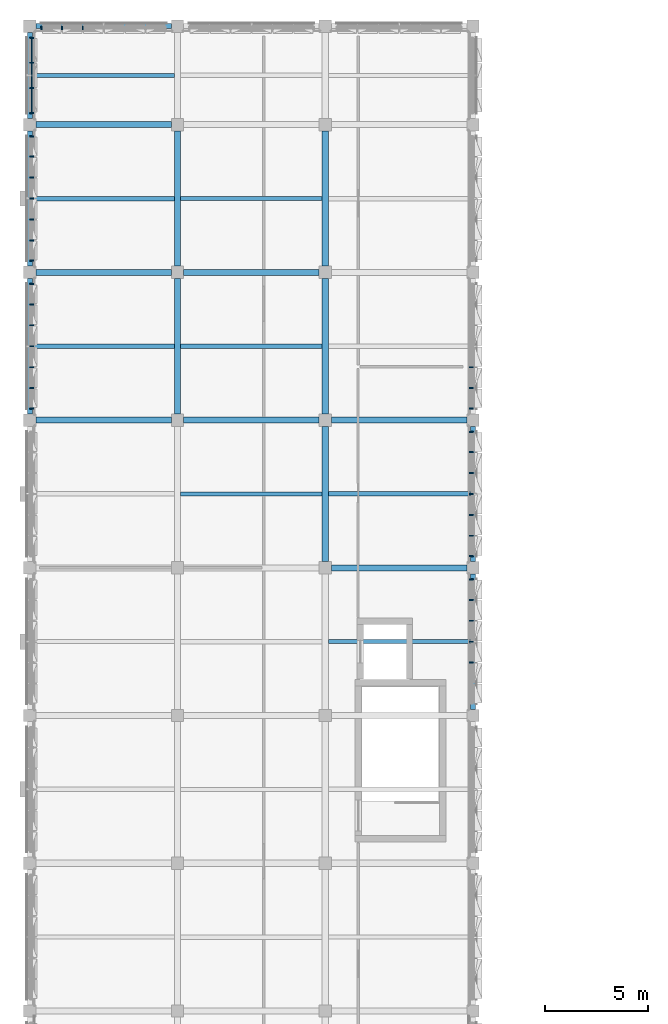
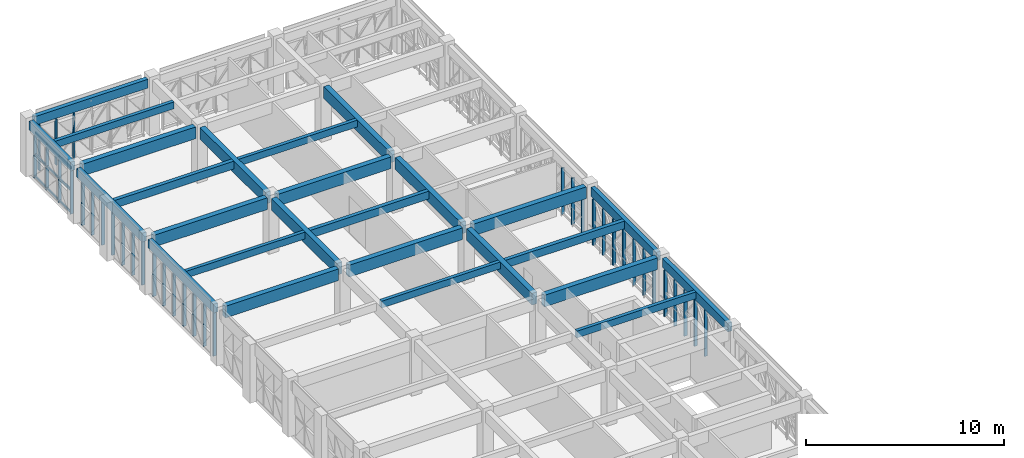
# One storey, part 14 of 74: 45 members, 26 beams, 7 elements without a shape of their own.
"""IFC4 building model written with IfcOpenShell, lengths in metres."""

from ifc_helpers import new_model, si_unit, direction, frame, origin, origin_2d, place, context, subcontext, project, spatial, rectangle, extrude, material, material_profile, profile_set, type_object, element, aggregate, save


model = new_model("IFC4")

# Units and contexts
model_context = context("Model", 3, precision=1e-05, world=origin(), true_north=direction((0.0, 1.0)))
body_context = subcontext(model_context, "Body", "Model", "MODEL_VIEW")
ifc_project = project(units=[si_unit("LENGTHUNIT", "METRE"), si_unit("AREAUNIT", "SQUARE_METRE"), si_unit("VOLUMEUNIT", "CUBIC_METRE"), si_unit("PLANEANGLEUNIT", "RADIAN"), si_unit("MASSUNIT", "GRAM", prefix="KILO")], contexts=[model_context])

# Site, building, storey
site_placement = place(None, origin())
site = spatial("IfcSite", under=ifc_project, at=site_placement, CompositionType="ELEMENT")
building_placement = place(site_placement, origin())
building = spatial("IfcBuilding", under=site, at=building_placement, Name="Alvorim Cloister Faculty of Sciences", CompositionType="ELEMENT")
storey_placement = place(building_placement, frame((0.0, 0.0, 15.75)))
storey = spatial("IfcBuildingStorey", under=building, at=storey_placement, Name="L04", CompositionType="ELEMENT", Elevation=15.75)

# Beams
ifc_material_1 = material(Name="Glulam GL32h", Category="wood")
ifc_material_profile_1 = material_profile(ifc_material_1, rectangle(XDim=0.300048828125, YDim=0.719970703125, at=origin_2d()), Name="GL32-BM-300x720")
ifc_profile_set_1 = profile_set([ifc_material_profile_1], Name="Glulam GL32h")
beam_type_1 = type_object("IfcBeamType", Name="BM-GL-300x720", PredefinedType="BEAM", material=ifc_profile_set_1)
beam_1_placement = place(storey_placement, frame((14.699951171875, 85.199951171875, 3.030029296875), z_axis=(1.0, 0.0, 0.0), x_axis=(0.0, 1.0, 0.0)))
element("IfcBeam", 1, at=beam_1_placement, inside=storey, type_object=beam_type_1, Name="L04 Primary Beam BM-1782", PredefinedType="BEAM", context=body_context, shape_type="SweptSolid", body=[
    extrude(rectangle(XDim=0.300048828125, YDim=0.719970703125, at=origin_2d()), origin(), (0.0, 0.0, 1.0), 6.60009765625),
])
beam_2_placement = place(storey_placement, frame((0.300048828125, 92.39990234375, 3.030029296875), z_axis=(1.0, 0.0, 0.0), x_axis=(0.0, 1.0, 0.0)))
element("IfcBeam", 2, at=beam_2_placement, inside=storey, type_object=beam_type_1, Name="L04 Primary Beam BM-1783", PredefinedType="BEAM", context=body_context, shape_type="SweptSolid", body=[
    extrude(rectangle(XDim=0.300048828125, YDim=0.719970703125, at=origin_2d()), origin(), (0.0, 0.0, 1.0), 6.599853515625),
])
for number, where, z_axis, x_axis, name in (
    (3, (7.5, 92.39990234375, 3.030029296875), (1.0, 0.0, 0.0), (0.0, 1.0, 0.0), "L04 Primary Beam BM-1784"),
    (4, (14.699951171875, 92.39990234375, 3.030029296875), (1.0, 0.0, 0.0), (0.0, 1.0, 0.0), "L04 Primary Beam BM-1785"),
):
    element("IfcBeam", number, at=place(storey_placement, frame(where, z_axis=z_axis, x_axis=x_axis)), inside=storey, type_object=beam_type_1, Name=name, PredefinedType="BEAM", context=body_context, shape_type="SweptSolid", body=[
        extrude(rectangle(XDim=0.300048828125, YDim=0.719970703125, at=origin_2d()), origin(), (0.0, 0.0, 1.0), 6.60009765625),
    ])
beam_3_placement = place(storey_placement, frame((0.300048828125, 99.60009765625, 3.030029296875), z_axis=(1.0, 0.0, 0.0), x_axis=(0.0, 1.0, 0.0)))
element("IfcBeam", 5, at=beam_3_placement, inside=storey, type_object=beam_type_1, Name="L04 Primary Beam BM-1786", PredefinedType="BEAM", context=body_context, shape_type="SweptSolid", body=[
    extrude(rectangle(XDim=0.300048828125, YDim=0.719970703125, at=origin_2d()), origin(), (0.0, 0.0, 1.0), 6.599853515625),
])
beam_4_placement = place(storey_placement, frame((7.5, 99.60009765625, 3.030029296875), z_axis=(1.0, 0.0, 0.0), x_axis=(0.0, 1.0, 0.0)))
element("IfcBeam", 6, at=beam_4_placement, inside=storey, type_object=beam_type_1, Name="L04 Primary Beam BM-1787", PredefinedType="BEAM", context=body_context, shape_type="SweptSolid", body=[
    extrude(rectangle(XDim=0.300048828125, YDim=0.719970703125, at=origin_2d()), origin(), (0.0, 0.0, 1.0), 6.60009765625),
])
beam_5_placement = place(storey_placement, frame((0.300048828125, 106.800048828125, 3.030029296875), z_axis=(1.0, 0.0, 0.0), x_axis=(0.0, 1.0, 0.0)))
element("IfcBeam", 7, at=beam_5_placement, inside=storey, type_object=beam_type_1, Name="L04 Primary Beam BM-1789", PredefinedType="BEAM", context=body_context, shape_type="SweptSolid", body=[
    extrude(rectangle(XDim=0.300048828125, YDim=0.719970703125, at=origin_2d()), origin(), (0.0, 0.0, 1.0), 6.599853515625),
])
for number, where, z_axis, x_axis, name in (
    (8, (7.199951171875, 92.699951171875, 3.030029296875), (0.0, 1.0, 0.0), (-1.0, 0.0, 0.0), "L04 Primary Girder BM-1815"),
    (9, (7.199951171875, 99.89990234375, 3.030029296875), (0.0, 1.0, 0.0), (-1.0, 0.0, 0.0), "L04 Primary Girder BM-1816"),
    (10, (14.39990234375, 85.5, 3.030029296875), (0.0, 1.0, 0.0), (-1.0, 0.0, 0.0), "L04 Primary Girder BM-1829"),
    (11, (14.39990234375, 92.699951171875, 3.030029296875), (0.0, 1.0, 0.0), (-1.0, 0.0, 0.0), "L04 Primary Girder BM-1830"),
    (12, (14.39990234375, 99.89990234375, 3.030029296875), (0.0, 1.0, 0.0), (-1.0, 0.0, 0.0), "L04 Primary Girder BM-1831"),
):
    element("IfcBeam", number, at=place(storey_placement, frame(where, z_axis=z_axis, x_axis=x_axis)), inside=storey, type_object=beam_type_1, Name=name, PredefinedType="BEAM", context=body_context, shape_type="SweptSolid", body=[
        extrude(rectangle(XDim=0.300048828125, YDim=0.719970703125, at=origin_2d()), origin(), (0.0, 0.0, 1.0), 6.60009765625),
    ])
ifc_material_2 = material(Name="Glulam GL28h", Category="wood")
ifc_material_profile_2 = material_profile(ifc_material_2, rectangle(XDim=0.199951171875, YDim=0.419921875, at=origin_2d()), Name="GL28-JST-200x420")
ifc_profile_set_2 = profile_set([ifc_material_profile_2], Name="Glulam GL28h")
beam_type_2 = type_object("IfcBeamType", Name="BM-JST-GL-200x420", PredefinedType="JOIST", material=ifc_profile_set_2)
for number, where, z_axis, x_axis, name in (
    (13, (0.1201171875, 96.0, 3.179931640625), (1.0, 0.0, 0.0), (0.0, 1.0, 0.0), "L04 Secondary Floor Joist BM-1896"),
    (14, (0.1201171875, 109.199951171875, 3.179931640625), (1.0, 0.0, 0.0), (0.0, 1.0, 0.0), "L04 Secondary Floor Joist BM-1898"),
):
    element("IfcBeam", number, at=place(storey_placement, frame(where, z_axis=z_axis, x_axis=x_axis)), inside=storey, type_object=beam_type_2, Name=name, PredefinedType="JOIST", context=body_context, shape_type="SweptSolid", body=[
        extrude(rectangle(XDim=0.199951171875, YDim=0.419921875, at=origin_2d()), origin(), (0.0, 0.0, 1.0), 6.929931640625),
    ])
for number, where, z_axis, x_axis, name in (
    (15, (7.35009765625, 88.800048828125, 3.179931640625), (1.0, 0.0, 0.0), (0.0, 1.0, 0.0), "L04 Secondary Floor Joist BM-1910"),
    (16, (7.35009765625, 103.199951171875, 3.179931640625), (1.0, 0.0, 0.0), (0.0, 1.0, 0.0), "L04 Secondary Floor Joist BM-1912"),
):
    element("IfcBeam", number, at=place(storey_placement, frame(where, z_axis=z_axis, x_axis=x_axis)), inside=storey, type_object=beam_type_2, Name=name, PredefinedType="JOIST", context=body_context, shape_type="SweptSolid", body=[
        extrude(rectangle(XDim=0.199951171875, YDim=0.419921875, at=origin_2d()), origin(), (0.0, 0.0, 1.0), 6.89990234375),
    ])
beam_6_placement = place(storey_placement, frame((14.550048828125, 81.60009765625, 3.179931640625), z_axis=(1.0, 0.0, 0.0), x_axis=(0.0, 1.0, 0.0)))
element("IfcBeam", 17, at=beam_6_placement, inside=storey, type_object=beam_type_2, Name="L04 Secondary Floor Joist BM-1918", PredefinedType="JOIST", context=body_context, shape_type="SweptSolid", body=[
    extrude(rectangle(XDim=0.199951171875, YDim=0.419921875, at=origin_2d()), origin(), (0.0, 0.0, 1.0), 6.929931640625),
])
ifc_material_profile_3 = material_profile(ifc_material_2, rectangle(XDim=0.219970703125, YDim=0.47998046875, at=origin_2d()), Name="GL28-JST-220x480")
ifc_profile_set_3 = profile_set([ifc_material_profile_3], Name="Glulam GL28h")
beam_type_3 = type_object("IfcBeamType", Name="BM-JST-GL-220x480", PredefinedType="JOIST", material=ifc_profile_set_3)
beam_7_placement = place(storey_placement, frame((0.1201171875, 103.199951171875, 3.14990234375), z_axis=(1.0, 0.0, 0.0), x_axis=(0.0, 1.0, 0.0)))
element("IfcBeam", 18, at=beam_7_placement, inside=storey, type_object=beam_type_3, Name="L04 Secondary Floor Joist BM-1897", PredefinedType="JOIST", context=body_context, shape_type="SweptSolid", body=[
    extrude(rectangle(XDim=0.219970703125, YDim=0.47998046875, at=origin_2d()), origin(), (0.0, 0.0, 1.0), 6.929931640625),
])
beam_8_placement = place(storey_placement, frame((7.35009765625, 96.0, 3.14990234375), z_axis=(1.0, 0.0, 0.0), x_axis=(0.0, 1.0, 0.0)))
element("IfcBeam", 19, at=beam_8_placement, inside=storey, type_object=beam_type_3, Name="L04 Secondary Floor Joist BM-1911", PredefinedType="JOIST", context=body_context, shape_type="SweptSolid", body=[
    extrude(rectangle(XDim=0.219970703125, YDim=0.47998046875, at=origin_2d()), origin(), (0.0, 0.0, 1.0), 6.89990234375),
])
beam_9_placement = place(storey_placement, frame((14.550048828125, 88.800048828125, 3.14990234375), z_axis=(1.0, 0.0, 0.0), x_axis=(0.0, 1.0, 0.0)))
element("IfcBeam", 20, at=beam_9_placement, inside=storey, type_object=beam_type_3, Name="L04 Secondary Floor Joist BM-1919", PredefinedType="JOIST", context=body_context, shape_type="SweptSolid", body=[
    extrude(rectangle(XDim=0.219970703125, YDim=0.47998046875, at=origin_2d()), origin(), (0.0, 0.0, 1.0), 6.929931640625),
])
ifc_material_profile_4 = material_profile(ifc_material_2, rectangle(XDim=0.239990234375, YDim=0.5400390625, at=origin_2d()), Name="GL28-SPD-240x540")
ifc_profile_set_4 = profile_set([ifc_material_profile_4], Name="Glulam GL28h")
beam_type_4 = type_object("IfcBeamType", Name="BM-SPD-GL-240x540", PredefinedType="SPANDREL", material=ifc_profile_set_4)
beam_10_placement = place(storey_placement, frame((0.300048828125, 111.60009765625, 3.1201171875), z_axis=(1.0, 0.0, 0.0), x_axis=(0.0, 1.0, 0.0)))
element("IfcBeam", 21, at=beam_10_placement, inside=storey, type_object=beam_type_4, Name="L04 Primary Beam BM-1792", PredefinedType="SPANDREL", context=body_context, shape_type="SweptSolid", body=[
    extrude(rectangle(XDim=0.239990234375, YDim=0.5400390625, at=origin_2d()), origin(), (0.0, 0.0, 1.0), 6.599853515625),
])
for number, where, z_axis, x_axis, name in (
    (22, (0.0, 92.699951171875, 3.1201171875), (0.0, 1.0, 0.0), (-1.0, 0.0, 0.0), "L04 Primary Girder BM-1800"),
    (23, (0.0, 99.89990234375, 3.1201171875), (0.0, 1.0, 0.0), (-1.0, 0.0, 0.0), "L04 Primary Girder BM-1801"),
):
    element("IfcBeam", number, at=place(storey_placement, frame(where, z_axis=z_axis, x_axis=x_axis)), inside=storey, type_object=beam_type_4, Name=name, PredefinedType="SPANDREL", context=body_context, shape_type="SweptSolid", body=[
        extrude(rectangle(XDim=0.239990234375, YDim=0.5400390625, at=origin_2d()), origin(), (0.0, 0.0, 1.0), 6.60009765625),
    ])
beam_11_placement = place(storey_placement, frame((0.0, 107.10009765625, 3.1201171875), z_axis=(0.0, 1.0, 0.0), x_axis=(-1.0, 0.0, 0.0)))
element("IfcBeam", 24, at=beam_11_placement, inside=storey, type_object=beam_type_4, Name="L04 Primary Girder BM-1802", PredefinedType="SPANDREL", context=body_context, shape_type="SweptSolid", body=[
    extrude(rectangle(XDim=0.239990234375, YDim=0.5400390625, at=origin_2d()), origin(), (0.0, 0.0, 1.0), 4.199951171875),
])
beam_12_placement = place(storey_placement, frame((21.60009765625, 78.300048828125, 3.1201171875), z_axis=(0.0, 1.0, 0.0), x_axis=(-1.0, 0.0, 0.0)))
element("IfcBeam", 25, at=beam_12_placement, inside=storey, type_object=beam_type_4, Name="L04 Primary Girder BM-1843", PredefinedType="SPANDREL", context=body_context, shape_type="SweptSolid", body=[
    extrude(rectangle(XDim=0.239990234375, YDim=0.5400390625, at=origin_2d()), origin(), (0.0, 0.0, 1.0), 6.599853515625),
])
beam_13_placement = place(storey_placement, frame((21.60009765625, 85.5, 3.1201171875), z_axis=(0.0, 1.0, 0.0), x_axis=(-1.0, 0.0, 0.0)))
element("IfcBeam", 26, at=beam_13_placement, inside=storey, type_object=beam_type_4, Name="L04 Primary Girder BM-1844", PredefinedType="SPANDREL", context=body_context, shape_type="SweptSolid", body=[
    extrude(rectangle(XDim=0.239990234375, YDim=0.5400390625, at=origin_2d()), origin(), (0.0, 0.0, 1.0), 6.60009765625),
])

# Curtain wall, members
ifc_material_3 = material(Name="Aluminium and Low-E Glass Curtain Wall", Category="aluminium")
curtain_wall_type_1 = type_object("IfcCurtainWallType", Name="CW-TRI-6120x2850", PredefinedType="USERDEFINED", material=ifc_material_3)
curtain_wall_1_placement = place(storey_placement, origin())
curtain_wall_1 = element("IfcCurtainWall", 27, at=curtain_wall_1_placement, inside=storey, type_object=curtain_wall_type_1, Name="L04 Diagonal Cassette Curtain Wall CW-0175", ObjectType="UNITISED CURTAIN WALL", PredefinedType="USERDEFINED")
ifc_material_4 = material(Name="Aluminium Alloy 6063-T6", Category="aluminium")
ifc_material_profile_5 = material_profile(ifc_material_4, rectangle(XDim=0.06494140625, YDim=0.179931640625, at=origin_2d()), Name="ALU-MUL-65x180")
ifc_profile_set_5 = profile_set([ifc_material_profile_5], Name="Aluminium Alloy 6063-T6")
member_type_1 = type_object("IfcMemberType", Name="CW-MUL-65x180", PredefinedType="MULLION", material=ifc_profile_set_5)
member_1_placement = place(storey_placement, frame((0.090087890625, 92.972412109375, 0.0), z_axis=(0.0, 0.0, 1.0), x_axis=(0.0, 1.0, 0.0)))
member_1 = element("IfcMember", 28, at=member_1_placement, type_object=member_type_1, Name="CW-0175 Mullion 1", PredefinedType="MULLION", context=body_context, shape_type="SweptSolid", body=[
    extrude(rectangle(XDim=0.06494140625, YDim=0.179931640625, at=origin_2d()), origin(), (0.0, 0.0, 1.0), 2.85009765625),
])
member_2_placement = place(storey_placement, frame((0.090087890625, 93.9599609375, 0.0), z_axis=(0.0, 0.0, 1.0), x_axis=(0.0, 1.0, 0.0)))
member_2 = element("IfcMember", 29, at=member_2_placement, type_object=member_type_1, Name="CW-0175 Mullion 2", PredefinedType="MULLION", context=body_context, shape_type="SweptSolid", body=[
    extrude(rectangle(XDim=0.06494140625, YDim=0.179931640625, at=origin_2d()), origin(), (0.0, 0.0, 1.0), 2.85009765625),
])
member_3_placement = place(storey_placement, frame((0.090087890625, 94.97998046875, 0.0), z_axis=(0.0, 0.0, 1.0), x_axis=(0.0, 1.0, 0.0)))
member_3 = element("IfcMember", 30, at=member_3_placement, type_object=member_type_1, Name="CW-0175 Mullion 3", PredefinedType="MULLION", context=body_context, shape_type="SweptSolid", body=[
    extrude(rectangle(XDim=0.06494140625, YDim=0.179931640625, at=origin_2d()), origin(), (0.0, 0.0, 1.0), 2.85009765625),
])
member_4_placement = place(storey_placement, frame((0.090087890625, 96.0, 0.0), z_axis=(0.0, 0.0, 1.0), x_axis=(0.0, 1.0, 0.0)))
member_4 = element("IfcMember", 31, at=member_4_placement, type_object=member_type_1, Name="CW-0175 Mullion 4", PredefinedType="MULLION", context=body_context, shape_type="SweptSolid", body=[
    extrude(rectangle(XDim=0.06494140625, YDim=0.179931640625, at=origin_2d()), origin(), (0.0, 0.0, 1.0), 2.85009765625),
])
member_5_placement = place(storey_placement, frame((0.090087890625, 97.02001953125, 0.0), z_axis=(0.0, 0.0, 1.0), x_axis=(0.0, 1.0, 0.0)))
member_5 = element("IfcMember", 32, at=member_5_placement, type_object=member_type_1, Name="CW-0175 Mullion 5", PredefinedType="MULLION", context=body_context, shape_type="SweptSolid", body=[
    extrude(rectangle(XDim=0.06494140625, YDim=0.179931640625, at=origin_2d()), origin(), (0.0, 0.0, 1.0), 2.85009765625),
])
member_6_placement = place(storey_placement, frame((0.090087890625, 98.0400390625, 0.0), z_axis=(0.0, 0.0, 1.0), x_axis=(0.0, 1.0, 0.0)))
member_6 = element("IfcMember", 33, at=member_6_placement, type_object=member_type_1, Name="CW-0175 Mullion 6", PredefinedType="MULLION", context=body_context, shape_type="SweptSolid", body=[
    extrude(rectangle(XDim=0.06494140625, YDim=0.179931640625, at=origin_2d()), origin(), (0.0, 0.0, 1.0), 2.85009765625),
])
member_7_placement = place(storey_placement, frame((0.090087890625, 99.027587890625, 0.0), z_axis=(0.0, 0.0, 1.0), x_axis=(0.0, 1.0, 0.0)))
member_7 = element("IfcMember", 34, at=member_7_placement, type_object=member_type_1, Name="CW-0175 Mullion 7", PredefinedType="MULLION", context=body_context, shape_type="SweptSolid", body=[
    extrude(rectangle(XDim=0.06494140625, YDim=0.179931640625, at=origin_2d()), origin(), (0.0, 0.0, 1.0), 2.85009765625),
])
aggregate(curtain_wall_1, [member_1, member_2, member_3, member_4, member_5, member_6, member_7])

curtain_wall_2_placement = place(storey_placement, origin())
curtain_wall_2 = element("IfcCurtainWall", 35, at=curtain_wall_2_placement, inside=storey, type_object=curtain_wall_type_1, Name="L04 Diagonal Cassette Curtain Wall CW-0176", ObjectType="UNITISED CURTAIN WALL", PredefinedType="USERDEFINED")
member_8_placement = place(storey_placement, frame((0.090087890625, 100.172607421875, 0.0), z_axis=(0.0, 0.0, 1.0), x_axis=(0.0, 1.0, 0.0)))
member_8 = element("IfcMember", 36, at=member_8_placement, type_object=member_type_1, Name="CW-0176 Mullion 1", PredefinedType="MULLION", context=body_context, shape_type="SweptSolid", body=[
    extrude(rectangle(XDim=0.06494140625, YDim=0.179931640625, at=origin_2d()), origin(), (0.0, 0.0, 1.0), 2.85009765625),
])
member_9_placement = place(storey_placement, frame((0.090087890625, 101.159912109375, 0.0), z_axis=(0.0, 0.0, 1.0), x_axis=(0.0, 1.0, 0.0)))
member_9 = element("IfcMember", 37, at=member_9_placement, type_object=member_type_1, Name="CW-0176 Mullion 2", PredefinedType="MULLION", context=body_context, shape_type="SweptSolid", body=[
    extrude(rectangle(XDim=0.06494140625, YDim=0.179931640625, at=origin_2d()), origin(), (0.0, 0.0, 1.0), 2.85009765625),
])
member_10_placement = place(storey_placement, frame((0.090087890625, 102.179931640625, 0.0), z_axis=(0.0, 0.0, 1.0), x_axis=(0.0, 1.0, 0.0)))
member_10 = element("IfcMember", 38, at=member_10_placement, type_object=member_type_1, Name="CW-0176 Mullion 3", PredefinedType="MULLION", context=body_context, shape_type="SweptSolid", body=[
    extrude(rectangle(XDim=0.06494140625, YDim=0.179931640625, at=origin_2d()), origin(), (0.0, 0.0, 1.0), 2.85009765625),
])
member_11_placement = place(storey_placement, frame((0.090087890625, 103.199951171875, 0.0), z_axis=(0.0, 0.0, 1.0), x_axis=(0.0, 1.0, 0.0)))
member_11 = element("IfcMember", 39, at=member_11_placement, type_object=member_type_1, Name="CW-0176 Mullion 4", PredefinedType="MULLION", context=body_context, shape_type="SweptSolid", body=[
    extrude(rectangle(XDim=0.06494140625, YDim=0.179931640625, at=origin_2d()), origin(), (0.0, 0.0, 1.0), 2.85009765625),
])
member_12_placement = place(storey_placement, frame((0.090087890625, 104.219970703125, 0.0), z_axis=(0.0, 0.0, 1.0), x_axis=(0.0, 1.0, 0.0)))
member_12 = element("IfcMember", 40, at=member_12_placement, type_object=member_type_1, Name="CW-0176 Mullion 5", PredefinedType="MULLION", context=body_context, shape_type="SweptSolid", body=[
    extrude(rectangle(XDim=0.06494140625, YDim=0.179931640625, at=origin_2d()), origin(), (0.0, 0.0, 1.0), 2.85009765625),
])
member_13_placement = place(storey_placement, frame((0.090087890625, 105.239990234375, 0.0), z_axis=(0.0, 0.0, 1.0), x_axis=(0.0, 1.0, 0.0)))
member_13 = element("IfcMember", 41, at=member_13_placement, type_object=member_type_1, Name="CW-0176 Mullion 6", PredefinedType="MULLION", context=body_context, shape_type="SweptSolid", body=[
    extrude(rectangle(XDim=0.06494140625, YDim=0.179931640625, at=origin_2d()), origin(), (0.0, 0.0, 1.0), 2.85009765625),
])
member_14_placement = place(storey_placement, frame((0.090087890625, 106.2275390625, 0.0), z_axis=(0.0, 0.0, 1.0), x_axis=(0.0, 1.0, 0.0)))
member_14 = element("IfcMember", 42, at=member_14_placement, type_object=member_type_1, Name="CW-0176 Mullion 7", PredefinedType="MULLION", context=body_context, shape_type="SweptSolid", body=[
    extrude(rectangle(XDim=0.06494140625, YDim=0.179931640625, at=origin_2d()), origin(), (0.0, 0.0, 1.0), 2.85009765625),
])
aggregate(curtain_wall_2, [member_8, member_9, member_10, member_11, member_12, member_13, member_14])

curtain_wall_type_2 = type_object("IfcCurtainWallType", Name="CW-TRI-3720x2850", PredefinedType="USERDEFINED", material=ifc_material_3)
curtain_wall_3_placement = place(storey_placement, origin())
curtain_wall_3 = element("IfcCurtainWall", 43, at=curtain_wall_3_placement, inside=storey, type_object=curtain_wall_type_2, Name="L04 Diagonal Cassette Curtain Wall CW-0177", ObjectType="UNITISED CURTAIN WALL", PredefinedType="USERDEFINED")
member_15_placement = place(storey_placement, frame((0.090087890625, 107.37255859375, 0.0), z_axis=(0.0, 0.0, 1.0), x_axis=(0.0, 1.0, 0.0)))
member_15 = element("IfcMember", 44, at=member_15_placement, type_object=member_type_1, Name="CW-0177 Mullion 1", PredefinedType="MULLION", context=body_context, shape_type="SweptSolid", body=[
    extrude(rectangle(XDim=0.06494140625, YDim=0.179931640625, at=origin_2d()), origin(), (0.0, 0.0, 1.0), 2.85009765625),
])
member_16_placement = place(storey_placement, frame((0.090087890625, 108.580078125, 0.0), z_axis=(0.0, 0.0, 1.0), x_axis=(0.0, 1.0, 0.0)))
member_16 = element("IfcMember", 45, at=member_16_placement, type_object=member_type_1, Name="CW-0177 Mullion 2", PredefinedType="MULLION", context=body_context, shape_type="SweptSolid", body=[
    extrude(rectangle(XDim=0.06494140625, YDim=0.179931640625, at=origin_2d()), origin(), (0.0, 0.0, 1.0), 2.85009765625),
])
member_17_placement = place(storey_placement, frame((0.090087890625, 109.820068359375, 0.0), z_axis=(0.0, 0.0, 1.0), x_axis=(0.0, 1.0, 0.0)))
member_17 = element("IfcMember", 46, at=member_17_placement, type_object=member_type_1, Name="CW-0177 Mullion 3", PredefinedType="MULLION", context=body_context, shape_type="SweptSolid", body=[
    extrude(rectangle(XDim=0.06494140625, YDim=0.179931640625, at=origin_2d()), origin(), (0.0, 0.0, 1.0), 2.85009765625),
])
member_18_placement = place(storey_placement, frame((0.090087890625, 111.027587890625, 0.0), z_axis=(0.0, 0.0, 1.0), x_axis=(0.0, 1.0, 0.0)))
member_18 = element("IfcMember", 47, at=member_18_placement, type_object=member_type_1, Name="CW-0177 Mullion 4", PredefinedType="MULLION", context=body_context, shape_type="SweptSolid", body=[
    extrude(rectangle(XDim=0.06494140625, YDim=0.179931640625, at=origin_2d()), origin(), (0.0, 0.0, 1.0), 2.85009765625),
])

curtain_wall_4_placement = place(storey_placement, origin())
curtain_wall_4 = element("IfcCurtainWall", 48, at=curtain_wall_4_placement, inside=storey, type_object=curtain_wall_type_1, Name="L04 Diagonal Cassette Curtain Wall CW-0178", ObjectType="UNITISED CURTAIN WALL", PredefinedType="USERDEFINED")
member_19_placement = place(storey_placement, frame((0.572509765625, 111.510009765625, 0.0), z_axis=(0.0, 0.0, 1.0), x_axis=(1.0, 0.0, 0.0)))
member_19 = element("IfcMember", 49, at=member_19_placement, type_object=member_type_1, Name="CW-0178 Mullion 1", PredefinedType="MULLION", context=body_context, shape_type="SweptSolid", body=[
    extrude(rectangle(XDim=0.06494140625, YDim=0.179931640625, at=origin_2d()), origin(), (0.0, 0.0, 1.0), 2.85009765625),
])
member_20_placement = place(storey_placement, frame((1.56005859375, 111.510009765625, 0.0), z_axis=(0.0, 0.0, 1.0), x_axis=(1.0, 0.0, 0.0)))
member_20 = element("IfcMember", 50, at=member_20_placement, type_object=member_type_1, Name="CW-0178 Mullion 2", PredefinedType="MULLION", context=body_context, shape_type="SweptSolid", body=[
    extrude(rectangle(XDim=0.06494140625, YDim=0.179931640625, at=origin_2d()), origin(), (0.0, 0.0, 1.0), 2.85009765625),
])
member_21_placement = place(storey_placement, frame((2.580078125, 111.510009765625, 0.0), z_axis=(0.0, 0.0, 1.0), x_axis=(1.0, 0.0, 0.0)))
member_21 = element("IfcMember", 51, at=member_21_placement, type_object=member_type_1, Name="CW-0178 Mullion 3", PredefinedType="MULLION", context=body_context, shape_type="SweptSolid", body=[
    extrude(rectangle(XDim=0.06494140625, YDim=0.179931640625, at=origin_2d()), origin(), (0.0, 0.0, 1.0), 2.85009765625),
])
aggregate(curtain_wall_4, [member_19, member_20, member_21])

curtain_wall_5_placement = place(storey_placement, origin())
curtain_wall_5 = element("IfcCurtainWall", 52, at=curtain_wall_5_placement, inside=storey, type_object=curtain_wall_type_1, Name="L04 Diagonal Cassette Curtain Wall CW-0183", ObjectType="UNITISED CURTAIN WALL", PredefinedType="USERDEFINED")
member_22_placement = place(storey_placement, frame((21.510009765625, 92.972412109375, 0.0), z_axis=(0.0, 0.0, 1.0), x_axis=(0.0, 1.0, 0.0)))
member_22 = element("IfcMember", 53, at=member_22_placement, type_object=member_type_1, Name="CW-0183 Mullion 1", PredefinedType="MULLION", context=body_context, shape_type="SweptSolid", body=[
    extrude(rectangle(XDim=0.06494140625, YDim=0.179931640625, at=origin_2d()), origin(), (0.0, 0.0, 1.0), 2.85009765625),
])
member_23_placement = place(storey_placement, frame((21.510009765625, 93.9599609375, 0.0), z_axis=(0.0, 0.0, 1.0), x_axis=(0.0, 1.0, 0.0)))
member_23 = element("IfcMember", 54, at=member_23_placement, type_object=member_type_1, Name="CW-0183 Mullion 2", PredefinedType="MULLION", context=body_context, shape_type="SweptSolid", body=[
    extrude(rectangle(XDim=0.06494140625, YDim=0.179931640625, at=origin_2d()), origin(), (0.0, 0.0, 1.0), 2.85009765625),
])
member_24_placement = place(storey_placement, frame((21.510009765625, 94.97998046875, 0.0), z_axis=(0.0, 0.0, 1.0), x_axis=(0.0, 1.0, 0.0)))
member_24 = element("IfcMember", 55, at=member_24_placement, type_object=member_type_1, Name="CW-0183 Mullion 3", PredefinedType="MULLION", context=body_context, shape_type="SweptSolid", body=[
    extrude(rectangle(XDim=0.06494140625, YDim=0.179931640625, at=origin_2d()), origin(), (0.0, 0.0, 1.0), 2.85009765625),
])
aggregate(curtain_wall_5, [member_22, member_23, member_24])

curtain_wall_6_placement = place(storey_placement, origin())
curtain_wall_6 = element("IfcCurtainWall", 56, at=curtain_wall_6_placement, inside=storey, type_object=curtain_wall_type_1, Name="L04 Diagonal Cassette Curtain Wall CW-0184", ObjectType="UNITISED CURTAIN WALL", PredefinedType="USERDEFINED")
member_25_placement = place(storey_placement, frame((21.510009765625, 85.7724609375, 0.0), z_axis=(0.0, 0.0, 1.0), x_axis=(0.0, 1.0, 0.0)))
member_25 = element("IfcMember", 57, at=member_25_placement, type_object=member_type_1, Name="CW-0184 Mullion 1", PredefinedType="MULLION", context=body_context, shape_type="SweptSolid", body=[
    extrude(rectangle(XDim=0.06494140625, YDim=0.179931640625, at=origin_2d()), origin(), (0.0, 0.0, 1.0), 2.85009765625),
])
member_26_placement = place(storey_placement, frame((21.510009765625, 86.760009765625, 0.0), z_axis=(0.0, 0.0, 1.0), x_axis=(0.0, 1.0, 0.0)))
member_26 = element("IfcMember", 58, at=member_26_placement, type_object=member_type_1, Name="CW-0184 Mullion 2", PredefinedType="MULLION", context=body_context, shape_type="SweptSolid", body=[
    extrude(rectangle(XDim=0.06494140625, YDim=0.179931640625, at=origin_2d()), origin(), (0.0, 0.0, 1.0), 2.85009765625),
])
member_27_placement = place(storey_placement, frame((21.510009765625, 87.780029296875, 0.0), z_axis=(0.0, 0.0, 1.0), x_axis=(0.0, 1.0, 0.0)))
member_27 = element("IfcMember", 59, at=member_27_placement, type_object=member_type_1, Name="CW-0184 Mullion 3", PredefinedType="MULLION", context=body_context, shape_type="SweptSolid", body=[
    extrude(rectangle(XDim=0.06494140625, YDim=0.179931640625, at=origin_2d()), origin(), (0.0, 0.0, 1.0), 2.85009765625),
])
member_28_placement = place(storey_placement, frame((21.510009765625, 88.800048828125, 0.0), z_axis=(0.0, 0.0, 1.0), x_axis=(0.0, 1.0, 0.0)))
member_28 = element("IfcMember", 60, at=member_28_placement, type_object=member_type_1, Name="CW-0184 Mullion 4", PredefinedType="MULLION", context=body_context, shape_type="SweptSolid", body=[
    extrude(rectangle(XDim=0.06494140625, YDim=0.179931640625, at=origin_2d()), origin(), (0.0, 0.0, 1.0), 2.85009765625),
])
member_29_placement = place(storey_placement, frame((21.510009765625, 89.820068359375, 0.0), z_axis=(0.0, 0.0, 1.0), x_axis=(0.0, 1.0, 0.0)))
member_29 = element("IfcMember", 61, at=member_29_placement, type_object=member_type_1, Name="CW-0184 Mullion 5", PredefinedType="MULLION", context=body_context, shape_type="SweptSolid", body=[
    extrude(rectangle(XDim=0.06494140625, YDim=0.179931640625, at=origin_2d()), origin(), (0.0, 0.0, 1.0), 2.85009765625),
])
member_30_placement = place(storey_placement, frame((21.510009765625, 90.840087890625, 0.0), z_axis=(0.0, 0.0, 1.0), x_axis=(0.0, 1.0, 0.0)))
member_30 = element("IfcMember", 62, at=member_30_placement, type_object=member_type_1, Name="CW-0184 Mullion 6", PredefinedType="MULLION", context=body_context, shape_type="SweptSolid", body=[
    extrude(rectangle(XDim=0.06494140625, YDim=0.179931640625, at=origin_2d()), origin(), (0.0, 0.0, 1.0), 2.85009765625),
])
member_31_placement = place(storey_placement, frame((21.510009765625, 91.827392578125, 0.0), z_axis=(0.0, 0.0, 1.0), x_axis=(0.0, 1.0, 0.0)))
member_31 = element("IfcMember", 63, at=member_31_placement, type_object=member_type_1, Name="CW-0184 Mullion 7", PredefinedType="MULLION", context=body_context, shape_type="SweptSolid", body=[
    extrude(rectangle(XDim=0.06494140625, YDim=0.179931640625, at=origin_2d()), origin(), (0.0, 0.0, 1.0), 2.85009765625),
])
aggregate(curtain_wall_6, [member_25, member_26, member_27, member_28, member_29, member_30, member_31])

curtain_wall_7_placement = place(storey_placement, origin())
curtain_wall_7 = element("IfcCurtainWall", 64, at=curtain_wall_7_placement, inside=storey, type_object=curtain_wall_type_1, Name="L04 Diagonal Cassette Curtain Wall CW-0185", ObjectType="UNITISED CURTAIN WALL", PredefinedType="USERDEFINED")
member_32_placement = place(storey_placement, frame((21.510009765625, 80.580078125, 0.0), z_axis=(0.0, 0.0, 1.0), x_axis=(0.0, 1.0, 0.0)))
member_32 = element("IfcMember", 65, at=member_32_placement, type_object=member_type_1, Name="CW-0185 Mullion 3", PredefinedType="MULLION", context=body_context, shape_type="SweptSolid", body=[
    extrude(rectangle(XDim=0.06494140625, YDim=0.179931640625, at=origin_2d()), origin(), (0.0, 0.0, 1.0), 2.85009765625),
])
member_33_placement = place(storey_placement, frame((21.510009765625, 81.60009765625, 0.0), z_axis=(0.0, 0.0, 1.0), x_axis=(0.0, 1.0, 0.0)))
member_33 = element("IfcMember", 66, at=member_33_placement, type_object=member_type_1, Name="CW-0185 Mullion 4", PredefinedType="MULLION", context=body_context, shape_type="SweptSolid", body=[
    extrude(rectangle(XDim=0.06494140625, YDim=0.179931640625, at=origin_2d()), origin(), (0.0, 0.0, 1.0), 2.85009765625),
])
member_34_placement = place(storey_placement, frame((21.510009765625, 82.6201171875, 0.0), z_axis=(0.0, 0.0, 1.0), x_axis=(0.0, 1.0, 0.0)))
member_34 = element("IfcMember", 67, at=member_34_placement, type_object=member_type_1, Name="CW-0185 Mullion 5", PredefinedType="MULLION", context=body_context, shape_type="SweptSolid", body=[
    extrude(rectangle(XDim=0.06494140625, YDim=0.179931640625, at=origin_2d()), origin(), (0.0, 0.0, 1.0), 2.85009765625),
])
member_35_placement = place(storey_placement, frame((21.510009765625, 83.639892578125, 0.0), z_axis=(0.0, 0.0, 1.0), x_axis=(0.0, 1.0, 0.0)))
member_35 = element("IfcMember", 68, at=member_35_placement, type_object=member_type_1, Name="CW-0185 Mullion 6", PredefinedType="MULLION", context=body_context, shape_type="SweptSolid", body=[
    extrude(rectangle(XDim=0.06494140625, YDim=0.179931640625, at=origin_2d()), origin(), (0.0, 0.0, 1.0), 2.85009765625),
])
member_36_placement = place(storey_placement, frame((21.510009765625, 84.62744140625, 0.0), z_axis=(0.0, 0.0, 1.0), x_axis=(0.0, 1.0, 0.0)))
member_36 = element("IfcMember", 69, at=member_36_placement, type_object=member_type_1, Name="CW-0185 Mullion 7", PredefinedType="MULLION", context=body_context, shape_type="SweptSolid", body=[
    extrude(rectangle(XDim=0.06494140625, YDim=0.179931640625, at=origin_2d()), origin(), (0.0, 0.0, 1.0), 2.85009765625),
])
aggregate(curtain_wall_7, [member_32, member_33, member_34, member_35, member_36])

# Member
ifc_material_profile_6 = material_profile(ifc_material_4, rectangle(XDim=0.06494140625, YDim=0.139892578125, at=origin_2d()), Name="ALU-TRN-65x140")
ifc_profile_set_6 = profile_set([ifc_material_profile_6], Name="Aluminium Alloy 6063-T6")
member_type_2 = type_object("IfcMemberType", Name="CW-TRN-65x140", PredefinedType="USERDEFINED", material=ifc_profile_set_6)
member_37_placement = place(storey_placement, frame((0.090087890625, 107.405029296875, 0.070068359375), z_axis=(0.0, 1.0, 0.0), x_axis=(-1.0, 0.0, 0.0)))
member_37 = element("IfcMember", 70, at=member_37_placement, type_object=member_type_2, Name="CW-0177 Transom 1.1", ObjectType="TRANSOM", PredefinedType="USERDEFINED", context=body_context, shape_type="SweptSolid", body=[
    extrude(rectangle(XDim=0.06494140625, YDim=0.139892578125, at=origin_2d()), origin(), (0.0, 0.0, 1.0), 1.142578125),
])

member_38_placement = place(storey_placement, frame((0.090087890625, 107.405029296875, 1.425048828125), z_axis=(0.0, 1.0, 0.0), x_axis=(-1.0, 0.0, 0.0)))
member_38 = element("IfcMember", 71, at=member_38_placement, type_object=member_type_2, Name="CW-0177 Transom 1.2", ObjectType="TRANSOM", PredefinedType="USERDEFINED", context=body_context, shape_type="SweptSolid", body=[
    extrude(rectangle(XDim=0.06494140625, YDim=0.139892578125, at=origin_2d()), origin(), (0.0, 0.0, 1.0), 1.142578125),
])

member_39_placement = place(storey_placement, frame((0.090087890625, 107.405029296875, 2.780029296875), z_axis=(0.0, 1.0, 0.0), x_axis=(-1.0, 0.0, 0.0)))
member_39 = element("IfcMember", 72, at=member_39_placement, type_object=member_type_2, Name="CW-0177 Transom 1.3", ObjectType="TRANSOM", PredefinedType="USERDEFINED", context=body_context, shape_type="SweptSolid", body=[
    extrude(rectangle(XDim=0.06494140625, YDim=0.139892578125, at=origin_2d()), origin(), (0.0, 0.0, 1.0), 1.142578125),
])

member_40_placement = place(storey_placement, frame((0.090087890625, 108.612548828125, 0.070068359375), z_axis=(0.0, 1.0, 0.0), x_axis=(-1.0, 0.0, 0.0)))
member_40 = element("IfcMember", 73, at=member_40_placement, type_object=member_type_2, Name="CW-0177 Transom 2.1", ObjectType="TRANSOM", PredefinedType="USERDEFINED", context=body_context, shape_type="SweptSolid", body=[
    extrude(rectangle(XDim=0.06494140625, YDim=0.139892578125, at=origin_2d()), origin(), (0.0, 0.0, 1.0), 1.175048828125),
])

member_41_placement = place(storey_placement, frame((0.090087890625, 108.612548828125, 1.425048828125), z_axis=(0.0, 1.0, 0.0), x_axis=(-1.0, 0.0, 0.0)))
member_41 = element("IfcMember", 74, at=member_41_placement, type_object=member_type_2, Name="CW-0177 Transom 2.2", ObjectType="TRANSOM", PredefinedType="USERDEFINED", context=body_context, shape_type="SweptSolid", body=[
    extrude(rectangle(XDim=0.06494140625, YDim=0.139892578125, at=origin_2d()), origin(), (0.0, 0.0, 1.0), 1.175048828125),
])

member_42_placement = place(storey_placement, frame((0.090087890625, 108.612548828125, 2.780029296875), z_axis=(0.0, 1.0, 0.0), x_axis=(-1.0, 0.0, 0.0)))
member_42 = element("IfcMember", 75, at=member_42_placement, type_object=member_type_2, Name="CW-0177 Transom 2.3", ObjectType="TRANSOM", PredefinedType="USERDEFINED", context=body_context, shape_type="SweptSolid", body=[
    extrude(rectangle(XDim=0.06494140625, YDim=0.139892578125, at=origin_2d()), origin(), (0.0, 0.0, 1.0), 1.175048828125),
])

member_43_placement = place(storey_placement, frame((0.090087890625, 109.8525390625, 0.070068359375), z_axis=(0.0, 1.0, 0.0), x_axis=(-1.0, 0.0, 0.0)))
member_43 = element("IfcMember", 76, at=member_43_placement, type_object=member_type_2, Name="CW-0177 Transom 3.1", ObjectType="TRANSOM", PredefinedType="USERDEFINED", context=body_context, shape_type="SweptSolid", body=[
    extrude(rectangle(XDim=0.06494140625, YDim=0.139892578125, at=origin_2d()), origin(), (0.0, 0.0, 1.0), 1.142578125),
])

member_44_placement = place(storey_placement, frame((0.090087890625, 109.8525390625, 1.425048828125), z_axis=(0.0, 1.0, 0.0), x_axis=(-1.0, 0.0, 0.0)))
member_44 = element("IfcMember", 77, at=member_44_placement, type_object=member_type_2, Name="CW-0177 Transom 3.2", ObjectType="TRANSOM", PredefinedType="USERDEFINED", context=body_context, shape_type="SweptSolid", body=[
    extrude(rectangle(XDim=0.06494140625, YDim=0.139892578125, at=origin_2d()), origin(), (0.0, 0.0, 1.0), 1.142578125),
])

member_45_placement = place(storey_placement, frame((0.090087890625, 109.8525390625, 2.780029296875), z_axis=(0.0, 1.0, 0.0), x_axis=(-1.0, 0.0, 0.0)))
member_45 = element("IfcMember", 78, at=member_45_placement, type_object=member_type_2, Name="CW-0177 Transom 3.3", ObjectType="TRANSOM", PredefinedType="USERDEFINED", context=body_context, shape_type="SweptSolid", body=[
    extrude(rectangle(XDim=0.06494140625, YDim=0.139892578125, at=origin_2d()), origin(), (0.0, 0.0, 1.0), 1.142578125),
])

aggregate(curtain_wall_3, [member_15, member_16, member_17, member_18, member_37, member_38, member_39, member_40, member_41, member_42, member_43, member_44, member_45])

save(model, "model.ifc")
